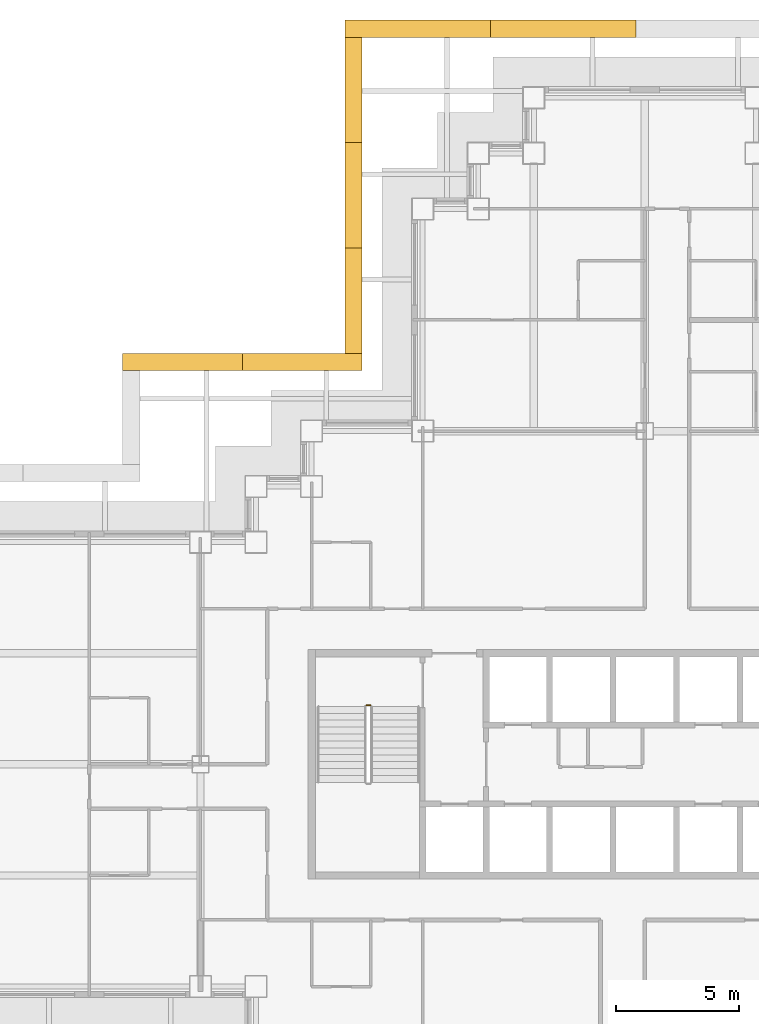
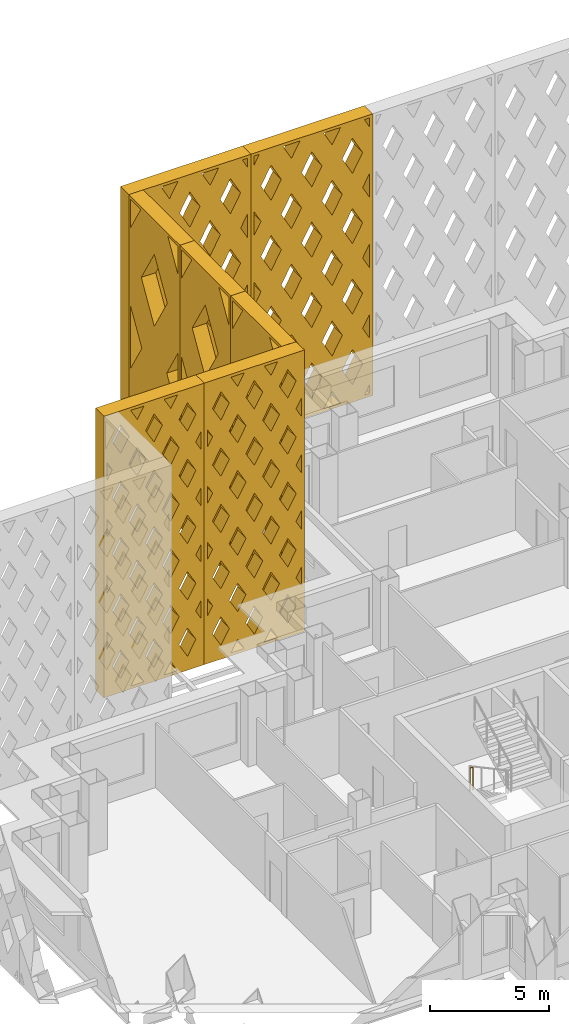
# One storey, part 18 of 21: 7 shading devices, 1 railing.
"""IFC4 building model written with IfcOpenShell, lengths in metres."""

import ifcopenshell
import ifcopenshell.guid

model = None  # the IFC model being written
_history = None  # IfcOwnerHistory: only IFC2X3 demands one
_inside = {}  # id of a spatial element -> (the spatial element, [elements in it])
_under = {}  # id of a project, library or spatial element -> (it, [spatial elements below it])
_declared = {}  # id of a project -> (the project, [libraries it declares])
_typed = {}  # id of a type object -> (the type object, [elements of that type])
_made_of = {}  # id of a material, layer set ... -> (it, [elements and type objects made of it])


def new_model(schema):
    """Start an empty IFC model of exactly this schema.

    Asked for "IFC4X3", IfcOpenShell would pick the latest addendum, in which some entities
    have other attributes; the version numbers below select the first issue.
    IFC2X3 requires an IfcOwnerHistory on every rooted entity: one is made here for all.
    """
    global model, _history
    if schema == "IFC4X3":
        model = ifcopenshell.file(schema_version=(4, 3, 0, 0))
    else:
        model = ifcopenshell.file(schema=schema)
    _inside.clear()
    _under.clear()
    _declared.clear()
    _typed.clear()
    _made_of.clear()
    _history = None
    if model.schema == "IFC2X3":
        org = make("IfcOrganization", Name="unknown")
        user = make(
            "IfcPersonAndOrganization",
            ThePerson=make("IfcPerson", FamilyName="unknown"),
            TheOrganization=org,
        )
        app = make(
            "IfcApplication",
            ApplicationDeveloper=org,
            Version="unknown",
            ApplicationFullName="unknown",
            ApplicationIdentifier="unknown",
        )
        _history = make(
            "IfcOwnerHistory",
            OwningUser=user,
            OwningApplication=app,
            ChangeAction="ADDED",
            CreationDate=0,
        )
    return model


def make(cls, **values):
    """One entity of the class cls with the attributes given. An attribute that is None is left unset."""
    return model.create_entity(
        cls, **{name: value for name, value in values.items() if value is not None}
    )


def rooted(cls, **values):
    """An entity with a GlobalId (a new one), such as an element, a storey or a relation."""
    return make(cls, GlobalId=ifcopenshell.guid.new(), OwnerHistory=_history, **values)


def si_unit(unit_type, name, prefix=None):
    """IfcSIUnit, for example si_unit("LENGTHUNIT", "METRE", prefix="MILLI")."""
    return make("IfcSIUnit", UnitType=unit_type, Prefix=prefix, Name=name)


def assignment(units):
    """IfcUnitAssignment: the units of a project."""
    return None if units is None else make("IfcUnitAssignment", Units=units)


def point(xyz):
    """IfcCartesianPoint."""
    return None if xyz is None else make("IfcCartesianPoint", Coordinates=xyz)


def direction(xyz):
    """IfcDirection."""
    return None if xyz is None else make("IfcDirection", DirectionRatios=xyz)


def frame(location, z_axis=None, x_axis=None):
    """IfcAxis2Placement3D, a coordinate frame: its origin and axes. An axis left out is left unset."""
    return make(
        "IfcAxis2Placement3D",
        Location=point(location),
        Axis=direction(z_axis),
        RefDirection=direction(x_axis),
    )


def frame_2d(location, x_axis=None):
    """IfcAxis2Placement2D, a coordinate frame in the plane: its origin and x axis."""
    return make(
        "IfcAxis2Placement2D", Location=point(location), RefDirection=direction(x_axis)
    )


def origin():
    """The frame at (0, 0, 0) with its axes left unset."""
    return frame((0.0, 0.0, 0.0))


def origin_2d():
    """The frame at (0, 0) in the plane with its x axis left unset."""
    return frame_2d((0.0, 0.0))


def place(relative_to, where):
    """IfcLocalPlacement: puts the frame where relative to a parent placement (None: the world)."""
    return make(
        "IfcLocalPlacement", PlacementRelTo=relative_to, RelativePlacement=where
    )


def context(
    kind, dimensions, precision=None, world=None, true_north=None, identifier=None
):
    """IfcGeometricRepresentationContext, for example the 3D "Model" context."""
    return make(
        "IfcGeometricRepresentationContext",
        ContextIdentifier=identifier,
        ContextType=kind,
        CoordinateSpaceDimension=dimensions,
        Precision=precision,
        WorldCoordinateSystem=world,
        TrueNorth=true_north,
    )


def subcontext(parent, identifier, kind, view, scale=None):
    """IfcGeometricRepresentationSubContext, for example "Body" below "Model"."""
    return make(
        "IfcGeometricRepresentationSubContext",
        ContextIdentifier=identifier,
        ContextType=kind,
        ParentContext=parent,
        TargetScale=scale,
        TargetView=view,
    )


def project(units=None, contexts=None):
    """IfcProject with its units and contexts."""
    return rooted(
        "IfcProject",
        Name="project",
        RepresentationContexts=contexts,
        UnitsInContext=assignment(units),
    )


def spatial(cls, under=None, at=None, **own):
    """A site, building, storey or space (cls), placed at a placement, below another one or the project."""
    s = rooted(cls, ObjectPlacement=at, **own)
    if under is not None:
        _under.setdefault(under.id(), (under, []))[1].append(s)
    return s


def polyline(points):
    """IfcPolyline through the points."""
    return make("IfcPolyline", Points=[point(p) for p in points])


def profile(cls, at=None, kind="AREA", **sizes):
    """A parametric profile (cls). Its sizes go by their IFC names, for example OverallWidth=200.0."""
    return make(cls, ProfileType=kind, Position=at, **sizes)


def circle(**sizes):
    """IfcCircleProfileDef."""
    return profile("IfcCircleProfileDef", **sizes)


def outline(outer, holes=None, kind="AREA"):
    """IfcArbitraryClosedProfileDef: a profile drawn as a closed curve; with holes, ...WithVoids."""
    if holes is None:
        return make("IfcArbitraryClosedProfileDef", ProfileType=kind, OuterCurve=outer)
    return make(
        "IfcArbitraryProfileDefWithVoids",
        ProfileType=kind,
        OuterCurve=outer,
        InnerCurves=holes,
    )


def extrude(swept, where, along, depth):
    """IfcExtrudedAreaSolid: the profile swept, set in the frame where, extruded along a direction by depth."""
    return make(
        "IfcExtrudedAreaSolid",
        SweptArea=swept,
        Position=where,
        ExtrudedDirection=direction(along),
        Depth=depth,
    )


def shape(context_of_items, identifier, shape_type, items):
    """IfcShapeRepresentation: the items that make up one representation, for example the "Body"."""
    return make(
        "IfcShapeRepresentation",
        ContextOfItems=context_of_items,
        RepresentationIdentifier=identifier,
        RepresentationType=shape_type,
        Items=items,
    )


def material(Name=None, Category=None):
    """IfcMaterial."""
    return make("IfcMaterial", Name=Name, Category=Category)


def made_of(thing, what):
    """Note that an element or type object is made of a material, layer set ...; save() writes the relation."""
    if what is not None:
        _made_of.setdefault(what.id(), (what, []))[1].append(thing)
    return thing


def type_object(cls, material=None, **own):
    """A type object (cls), such as IfcWallType, which elements share."""
    return made_of(rooted(cls, **own), material)


def element(
    cls,
    number,
    at=None,
    inside=None,
    cuts=None,
    type_object=None,
    material=None,
    context=None,
    identifier="Body",
    shape_type=None,
    held_by="IfcProductDefinitionShape",
    body=None,
    shapes=None,
    **own,
):
    """One element of the class cls, such as IfcWall. Its Tag is "e" and its number.

    at: its placement. inside: the storey or other place that contains it. cuts: it is an
    opening in that element (IfcRelVoidsElement). A single representation is given by context,
    identifier, shape_type and body (its items); several are given by shapes. held_by: the class
    of the entity that holds the representations. save() writes the other relations.
    """
    e = rooted(cls, Tag="e%d" % number, ObjectPlacement=at, **own)
    if body is not None:
        shapes = [shape(context, identifier, shape_type, body)]
    if shapes is not None:
        e.Representation = make(held_by, Representations=shapes)
    if inside is not None:
        _inside.setdefault(inside.id(), (inside, []))[1].append(e)
    if cuts is not None:
        rooted(
            "IfcRelVoidsElement", RelatingBuildingElement=cuts, RelatedOpeningElement=e
        )
    if type_object is not None:
        _typed.setdefault(type_object.id(), (type_object, []))[1].append(e)
    return made_of(e, material)


def aggregate(whole, parts):
    """IfcRelAggregates: a whole, such as a stair, and the parts it consists of."""
    return rooted("IfcRelAggregates", RelatingObject=whole, RelatedObjects=parts)


def save(model, path):
    """Write the relations noted so far, then the file.

    IfcRelAggregates (storeys below a building ...), IfcRelContainedInSpatialStructure (elements
    in a storey), IfcRelDefinesByType, IfcRelAssociatesMaterial and IfcRelDeclares: one each for
    every whole, place, type object, material and project.
    """
    for whole, parts in _under.values():
        aggregate(whole, parts)
    for where, things in _inside.values():
        rooted(
            "IfcRelContainedInSpatialStructure",
            RelatedElements=things,
            RelatingStructure=where,
        )
    for kind, things in _typed.values():
        rooted("IfcRelDefinesByType", RelatedObjects=things, RelatingType=kind)
    for what, things in _made_of.values():
        rooted("IfcRelAssociatesMaterial", RelatedObjects=things, RelatingMaterial=what)
    for by, libraries in _declared.values():
        rooted("IfcRelDeclares", RelatingContext=by, RelatedDefinitions=libraries)
    model.write(path)


model = new_model("IFC4")

# Units and contexts
model_context = context("Model", 3, precision=1e-05, world=origin(), true_north=direction((0.0, 1.0)))
body_context = subcontext(model_context, "Body", "Model", "MODEL_VIEW")
ifc_project = project(units=[si_unit("LENGTHUNIT", "METRE"), si_unit("AREAUNIT", "SQUARE_METRE"), si_unit("VOLUMEUNIT", "CUBIC_METRE"), si_unit("PLANEANGLEUNIT", "RADIAN"), si_unit("MASSUNIT", "GRAM", prefix="KILO")], contexts=[model_context])

# Site, building, storey
site_placement = place(None, origin())
site = spatial("IfcSite", under=ifc_project, at=site_placement, CompositionType="ELEMENT")
building_placement = place(site_placement, origin())
building = spatial("IfcBuilding", under=site, at=building_placement, Name="Caravel Reach Hotel and Residences", CompositionType="ELEMENT")
storey_placement = place(building_placement, frame((0.0, 0.0, 115.199951171875)))
storey = spatial("IfcBuildingStorey", under=building, at=storey_placement, Name="L28", CompositionType="ELEMENT", Elevation=115.199951171875)

# Shading devices
ifc_material_1 = material(Name="Black powder-coated aluminium", Category="aluminium")
shading_device_type_1 = type_object("IfcShadingDeviceType", Name="Diamond lattice screen panel 4267 x 14400", PredefinedType="USERDEFINED", material=ifc_material_1)
for number, where, z_axis, x_axis, name in (
    (1, (20.050048828125, 56.449951171875, 0.0), (-1.0, 0.0, 0.0), (0.0, -1.0, 0.0), "Lattice screen L28-L31 13.1"),
    (2, (20.050048828125, 52.183349609375, 0.0), (-1.0, 0.0, 0.0), (0.0, -1.0, 0.0), "Lattice screen L28-L31 13.2"),
    (3, (20.050048828125, 47.916748046875, 0.0), (-1.0, 0.0, 0.0), (0.0, -1.0, 0.0), "Lattice screen L28-L31 13.3"),
):
    element("IfcShadingDevice", number, at=place(storey_placement, frame(where, z_axis=z_axis, x_axis=x_axis)), inside=storey, type_object=shading_device_type_1, Name=name, ObjectType="SCREEN", PredefinedType="USERDEFINED", context=body_context, shape_type="SweptSolid", body=[
        extrude(outline(polyline([(0.0, 0.0), (4.2666015625, 0.0), (4.2666015625, 14.39990234375), (0.0, 14.39990234375), (0.0, 0.0)]), holes=[polyline([(1.003662109375, 0.14990234375), (0.14990234375, 1.590576171875), (0.14990234375, 0.14990234375), (1.003662109375, 0.14990234375)]), polyline([(1.092529296875, 7.199951171875), (0.14990234375, 8.790771484375), (0.14990234375, 5.609375), (1.092529296875, 7.199951171875)]), polyline([(0.14990234375, 12.809326171875), (1.003662109375, 14.25), (0.14990234375, 14.25), (0.14990234375, 12.809326171875)]), polyline([(2.13330078125, 5.44384765625), (1.040771484375, 3.60009765625), (2.13330078125, 1.756103515625), (3.225830078125, 3.60009765625), (2.13330078125, 5.44384765625)]), polyline([(2.13330078125, 12.643798828125), (1.040771484375, 10.800048828125), (2.13330078125, 8.956298828125), (3.225830078125, 10.800048828125), (2.13330078125, 12.643798828125)]), polyline([(4.11669921875, 1.590576171875), (3.262939453125, 0.14990234375), (4.11669921875, 0.14990234375), (4.11669921875, 1.590576171875)]), polyline([(3.174072265625, 7.199951171875), (4.11669921875, 5.609375), (4.11669921875, 8.790771484375), (3.174072265625, 7.199951171875)]), polyline([(3.262939453125, 14.25), (4.11669921875, 12.809326171875), (4.11669921875, 14.25), (3.262939453125, 14.25)])]), origin(), (0.0, 0.0, 1.0), 0.699951171875),
    ])
ifc_material_2 = material(Name="Black powder-coated aluminium", Category="aluminium")
shading_device_type_2 = type_object("IfcShadingDeviceType", Name="Diamond lattice screen panel 4850 x 14400", PredefinedType="USERDEFINED", material=ifc_material_2)
shading_device_1_placement = place(storey_placement, frame((20.050048828125, 42.949951171875, 0.0), z_axis=(0.0, 1.0, 0.0), x_axis=(-1.0, 0.0, 0.0)))
element("IfcShadingDevice", 4, at=shading_device_1_placement, inside=storey, type_object=shading_device_type_2, Name="Lattice screen L28-L31 14.1", ObjectType="SCREEN", PredefinedType="USERDEFINED", context=body_context, shape_type="SweptSolid", body=[
    extrude(outline(polyline([(0.0, 0.0), (4.85009765625, 0.0), (4.85009765625, 14.39990234375), (0.0, 14.39990234375), (0.0, 0.0)]), holes=[polyline([(0.408447265625, 2.8798828125), (0.14990234375, 3.34033203125), (0.14990234375, 2.419677734375), (0.408447265625, 2.8798828125)]), polyline([(0.408447265625, 5.760009765625), (0.14990234375, 6.22021484375), (0.14990234375, 5.2998046875), (0.408447265625, 5.760009765625)]), polyline([(0.408447265625, 8.639892578125), (0.14990234375, 9.100341796875), (0.14990234375, 8.1796875), (0.408447265625, 8.639892578125)]), polyline([(0.408447265625, 11.52001953125), (0.14990234375, 11.980224609375), (0.14990234375, 11.059814453125), (0.408447265625, 11.52001953125)]), polyline([(0.808349609375, 2.16748046875), (0.39990234375, 1.43994140625), (0.808349609375, 0.712646484375), (1.216796875, 1.43994140625), (0.808349609375, 2.16748046875)]), polyline([(0.808349609375, 5.04736328125), (0.39990234375, 4.320068359375), (0.808349609375, 3.592529296875), (1.216796875, 4.320068359375), (0.808349609375, 5.04736328125)]), polyline([(0.808349609375, 7.927490234375), (0.39990234375, 7.199951171875), (0.808349609375, 6.47265625), (1.216796875, 7.199951171875), (0.808349609375, 7.927490234375)]), polyline([(0.808349609375, 10.807373046875), (0.39990234375, 10.080078125), (0.808349609375, 9.3525390625), (1.216796875, 10.080078125), (0.808349609375, 10.807373046875)]), polyline([(0.808349609375, 13.6875), (0.39990234375, 12.9599609375), (0.808349609375, 12.232421875), (1.216796875, 12.9599609375), (0.808349609375, 13.6875)]), polyline([(1.61669921875, 0.7275390625), (1.29248046875, 0.14990234375), (1.94091796875, 0.14990234375), (1.61669921875, 0.7275390625)]), polyline([(1.61669921875, 3.607421875), (1.208251953125, 2.8798828125), (1.61669921875, 2.152587890625), (2.02490234375, 2.8798828125), (1.61669921875, 3.607421875)]), polyline([(1.61669921875, 6.487548828125), (1.208251953125, 5.760009765625), (1.61669921875, 5.032470703125), (2.02490234375, 5.760009765625), (1.61669921875, 6.487548828125)]), polyline([(1.61669921875, 9.367431640625), (1.208251953125, 8.639892578125), (1.61669921875, 7.91259765625), (2.02490234375, 8.639892578125), (1.61669921875, 9.367431640625)]), polyline([(1.61669921875, 12.24755859375), (1.208251953125, 11.52001953125), (1.61669921875, 10.79248046875), (2.02490234375, 11.52001953125), (1.61669921875, 12.24755859375)]), polyline([(1.61669921875, 13.672607421875), (1.94091796875, 14.25), (1.29248046875, 14.25), (1.61669921875, 13.672607421875)]), polyline([(2.425048828125, 2.16748046875), (2.0166015625, 1.43994140625), (2.425048828125, 0.712646484375), (2.833251953125, 1.43994140625), (2.425048828125, 2.16748046875)]), polyline([(2.425048828125, 5.04736328125), (2.0166015625, 4.320068359375), (2.425048828125, 3.592529296875), (2.833251953125, 4.320068359375), (2.425048828125, 5.04736328125)]), polyline([(2.425048828125, 7.927490234375), (2.0166015625, 7.199951171875), (2.425048828125, 6.47265625), (2.833251953125, 7.199951171875), (2.425048828125, 7.927490234375)]), polyline([(2.425048828125, 10.807373046875), (2.0166015625, 10.080078125), (2.425048828125, 9.3525390625), (2.833251953125, 10.080078125), (2.425048828125, 10.807373046875)]), polyline([(2.425048828125, 13.6875), (2.0166015625, 12.9599609375), (2.425048828125, 12.232421875), (2.833251953125, 12.9599609375), (2.425048828125, 13.6875)]), polyline([(3.2333984375, 0.7275390625), (2.9091796875, 0.14990234375), (3.557373046875, 0.14990234375), (3.2333984375, 0.7275390625)]), polyline([(3.2333984375, 3.607421875), (2.824951171875, 2.8798828125), (3.2333984375, 2.152587890625), (3.6416015625, 2.8798828125), (3.2333984375, 3.607421875)]), polyline([(3.2333984375, 6.487548828125), (2.824951171875, 5.760009765625), (3.2333984375, 5.032470703125), (3.6416015625, 5.760009765625), (3.2333984375, 6.487548828125)]), polyline([(3.2333984375, 9.367431640625), (2.824951171875, 8.639892578125), (3.2333984375, 7.91259765625), (3.6416015625, 8.639892578125), (3.2333984375, 9.367431640625)]), polyline([(3.2333984375, 12.24755859375), (2.824951171875, 11.52001953125), (3.2333984375, 10.79248046875), (3.6416015625, 11.52001953125), (3.2333984375, 12.24755859375)]), polyline([(3.2333984375, 13.672607421875), (3.557373046875, 14.25), (2.9091796875, 14.25), (3.2333984375, 13.672607421875)]), polyline([(4.041748046875, 2.16748046875), (3.63330078125, 1.43994140625), (4.041748046875, 0.712646484375), (4.449951171875, 1.43994140625), (4.041748046875, 2.16748046875)]), polyline([(4.041748046875, 5.04736328125), (3.63330078125, 4.320068359375), (4.041748046875, 3.592529296875), (4.449951171875, 4.320068359375), (4.041748046875, 5.04736328125)]), polyline([(4.041748046875, 7.927490234375), (3.63330078125, 7.199951171875), (4.041748046875, 6.47265625), (4.449951171875, 7.199951171875), (4.041748046875, 7.927490234375)]), polyline([(4.041748046875, 10.807373046875), (3.63330078125, 10.080078125), (4.041748046875, 9.3525390625), (4.449951171875, 10.080078125), (4.041748046875, 10.807373046875)]), polyline([(4.041748046875, 13.6875), (3.63330078125, 12.9599609375), (4.041748046875, 12.232421875), (4.449951171875, 12.9599609375), (4.041748046875, 13.6875)]), polyline([(4.441650390625, 2.8798828125), (4.699951171875, 2.419677734375), (4.699951171875, 3.34033203125), (4.441650390625, 2.8798828125)]), polyline([(4.441650390625, 5.760009765625), (4.699951171875, 5.2998046875), (4.699951171875, 6.22021484375), (4.441650390625, 5.760009765625)]), polyline([(4.441650390625, 8.639892578125), (4.699951171875, 8.1796875), (4.699951171875, 9.100341796875), (4.441650390625, 8.639892578125)]), polyline([(4.441650390625, 11.52001953125), (4.699951171875, 11.059814453125), (4.699951171875, 11.980224609375), (4.441650390625, 11.52001953125)])]), origin(), (0.0, 0.0, 1.0), 0.699951171875),
])
shading_device_2_placement = place(storey_placement, frame((15.199951171875, 42.949951171875, 0.0), z_axis=(0.0, 1.0, 0.0), x_axis=(-1.0, 0.0, 0.0)))
element("IfcShadingDevice", 5, at=shading_device_2_placement, inside=storey, type_object=shading_device_type_2, Name="Lattice screen L28-L31 14.2", ObjectType="SCREEN", PredefinedType="USERDEFINED", context=body_context, shape_type="SweptSolid", body=[
    extrude(outline(polyline([(0.0, 0.0), (4.85009765625, 0.0), (4.85009765625, 14.39990234375), (0.0, 14.39990234375), (0.0, 0.0)]), holes=[polyline([(0.408447265625, 2.8798828125), (0.14990234375, 3.34033203125), (0.14990234375, 2.419677734375), (0.408447265625, 2.8798828125)]), polyline([(0.408447265625, 5.760009765625), (0.14990234375, 6.22021484375), (0.14990234375, 5.2998046875), (0.408447265625, 5.760009765625)]), polyline([(0.408447265625, 8.639892578125), (0.14990234375, 9.100341796875), (0.14990234375, 8.1796875), (0.408447265625, 8.639892578125)]), polyline([(0.408447265625, 11.52001953125), (0.14990234375, 11.980224609375), (0.14990234375, 11.059814453125), (0.408447265625, 11.52001953125)]), polyline([(0.808349609375, 2.16748046875), (0.39990234375, 1.43994140625), (0.808349609375, 0.712646484375), (1.216796875, 1.43994140625), (0.808349609375, 2.16748046875)]), polyline([(0.808349609375, 5.04736328125), (0.39990234375, 4.320068359375), (0.808349609375, 3.592529296875), (1.216796875, 4.320068359375), (0.808349609375, 5.04736328125)]), polyline([(0.808349609375, 7.927490234375), (0.39990234375, 7.199951171875), (0.808349609375, 6.47265625), (1.216796875, 7.199951171875), (0.808349609375, 7.927490234375)]), polyline([(0.808349609375, 10.807373046875), (0.39990234375, 10.080078125), (0.808349609375, 9.3525390625), (1.216796875, 10.080078125), (0.808349609375, 10.807373046875)]), polyline([(0.808349609375, 13.6875), (0.39990234375, 12.9599609375), (0.808349609375, 12.232421875), (1.216796875, 12.9599609375), (0.808349609375, 13.6875)]), polyline([(1.61669921875, 0.7275390625), (1.29248046875, 0.14990234375), (1.94091796875, 0.14990234375), (1.61669921875, 0.7275390625)]), polyline([(1.61669921875, 3.607421875), (1.208251953125, 2.8798828125), (1.61669921875, 2.152587890625), (2.02490234375, 2.8798828125), (1.61669921875, 3.607421875)]), polyline([(1.61669921875, 6.487548828125), (1.208251953125, 5.760009765625), (1.61669921875, 5.032470703125), (2.02490234375, 5.760009765625), (1.61669921875, 6.487548828125)]), polyline([(1.61669921875, 9.367431640625), (1.208251953125, 8.639892578125), (1.61669921875, 7.91259765625), (2.02490234375, 8.639892578125), (1.61669921875, 9.367431640625)]), polyline([(1.61669921875, 12.24755859375), (1.208251953125, 11.52001953125), (1.61669921875, 10.79248046875), (2.02490234375, 11.52001953125), (1.61669921875, 12.24755859375)]), polyline([(1.61669921875, 13.672607421875), (1.94091796875, 14.25), (1.29248046875, 14.25), (1.61669921875, 13.672607421875)]), polyline([(2.425048828125, 2.16748046875), (2.0166015625, 1.43994140625), (2.425048828125, 0.712646484375), (2.833251953125, 1.43994140625), (2.425048828125, 2.16748046875)]), polyline([(2.425048828125, 5.04736328125), (2.0166015625, 4.320068359375), (2.425048828125, 3.592529296875), (2.833251953125, 4.320068359375), (2.425048828125, 5.04736328125)]), polyline([(2.425048828125, 7.927490234375), (2.0166015625, 7.199951171875), (2.425048828125, 6.47265625), (2.833251953125, 7.199951171875), (2.425048828125, 7.927490234375)]), polyline([(2.425048828125, 10.807373046875), (2.0166015625, 10.080078125), (2.425048828125, 9.3525390625), (2.833251953125, 10.080078125), (2.425048828125, 10.807373046875)]), polyline([(2.425048828125, 13.6875), (2.0166015625, 12.9599609375), (2.425048828125, 12.232421875), (2.833251953125, 12.9599609375), (2.425048828125, 13.6875)]), polyline([(3.2333984375, 0.7275390625), (2.9091796875, 0.14990234375), (3.557373046875, 0.14990234375), (3.2333984375, 0.7275390625)]), polyline([(3.2333984375, 3.607421875), (2.824951171875, 2.8798828125), (3.2333984375, 2.152587890625), (3.6416015625, 2.8798828125), (3.2333984375, 3.607421875)]), polyline([(3.2333984375, 6.487548828125), (2.824951171875, 5.760009765625), (3.2333984375, 5.032470703125), (3.6416015625, 5.760009765625), (3.2333984375, 6.487548828125)]), polyline([(3.2333984375, 9.367431640625), (2.824951171875, 8.639892578125), (3.2333984375, 7.91259765625), (3.6416015625, 8.639892578125), (3.2333984375, 9.367431640625)]), polyline([(3.2333984375, 12.24755859375), (2.824951171875, 11.52001953125), (3.2333984375, 10.79248046875), (3.6416015625, 11.52001953125), (3.2333984375, 12.24755859375)]), polyline([(3.2333984375, 13.672607421875), (3.557373046875, 14.25), (2.9091796875, 14.25), (3.2333984375, 13.672607421875)]), polyline([(4.041748046875, 2.16748046875), (3.63330078125, 1.43994140625), (4.041748046875, 0.712646484375), (4.449951171875, 1.43994140625), (4.041748046875, 2.16748046875)]), polyline([(4.041748046875, 5.04736328125), (3.63330078125, 4.320068359375), (4.041748046875, 3.592529296875), (4.449951171875, 4.320068359375), (4.041748046875, 5.04736328125)]), polyline([(4.041748046875, 7.927490234375), (3.63330078125, 7.199951171875), (4.041748046875, 6.47265625), (4.449951171875, 7.199951171875), (4.041748046875, 7.927490234375)]), polyline([(4.041748046875, 10.807373046875), (3.63330078125, 10.080078125), (4.041748046875, 9.3525390625), (4.449951171875, 10.080078125), (4.041748046875, 10.807373046875)]), polyline([(4.041748046875, 13.6875), (3.63330078125, 12.9599609375), (4.041748046875, 12.232421875), (4.449951171875, 12.9599609375), (4.041748046875, 13.6875)]), polyline([(4.441650390625, 2.8798828125), (4.699951171875, 2.419677734375), (4.699951171875, 3.34033203125), (4.441650390625, 2.8798828125)]), polyline([(4.441650390625, 5.760009765625), (4.699951171875, 5.2998046875), (4.699951171875, 6.22021484375), (4.441650390625, 5.760009765625)]), polyline([(4.441650390625, 8.639892578125), (4.699951171875, 8.1796875), (4.699951171875, 9.100341796875), (4.441650390625, 8.639892578125)]), polyline([(4.441650390625, 11.52001953125), (4.699951171875, 11.059814453125), (4.699951171875, 11.980224609375), (4.441650390625, 11.52001953125)])]), origin(), (0.0, 0.0, 1.0), 0.699951171875),
])
ifc_material_3 = material(Name="Black powder-coated aluminium", Category="aluminium")
shading_device_type_3 = type_object("IfcShadingDeviceType", Name="Diamond lattice screen panel 5900 x 14400", PredefinedType="USERDEFINED", material=ifc_material_3)
shading_device_3_placement = place(storey_placement, frame((31.14990234375, 56.449951171875, 0.0), z_axis=(0.0, 1.0, 0.0), x_axis=(-1.0, 0.0, 0.0)))
element("IfcShadingDevice", 6, at=shading_device_3_placement, inside=storey, type_object=shading_device_type_3, Name="Lattice screen L28-L31 12.3", ObjectType="SCREEN", PredefinedType="USERDEFINED", context=body_context, shape_type="SweptSolid", body=[
    extrude(outline(polyline([(0.0, 0.0), (5.89990234375, 0.0), (5.89990234375, 14.39990234375), (0.0, 14.39990234375), (0.0, 0.0)]), holes=[polyline([(0.40966796875, 0.14990234375), (0.14990234375, 0.62548828125), (0.14990234375, 0.14990234375), (0.40966796875, 0.14990234375)]), polyline([(0.49169921875, 3.60009765625), (0.14990234375, 4.2255859375), (0.14990234375, 2.974609375), (0.49169921875, 3.60009765625)]), polyline([(0.49169921875, 7.199951171875), (0.14990234375, 7.825439453125), (0.14990234375, 6.574462890625), (0.49169921875, 7.199951171875)]), polyline([(0.49169921875, 10.800048828125), (0.14990234375, 11.425537109375), (0.14990234375, 10.174560546875), (0.49169921875, 10.800048828125)]), polyline([(0.14990234375, 13.7744140625), (0.40966796875, 14.25), (0.14990234375, 14.25), (0.14990234375, 13.7744140625)]), polyline([(0.9833984375, 2.699951171875), (0.49169921875, 1.800048828125), (0.9833984375, 0.89990234375), (1.47509765625, 1.800048828125), (0.9833984375, 2.699951171875)]), polyline([(0.9833984375, 6.300048828125), (0.49169921875, 5.39990234375), (0.9833984375, 4.5), (1.47509765625, 5.39990234375), (0.9833984375, 6.300048828125)]), polyline([(0.9833984375, 9.900146484375), (0.49169921875, 9.0), (0.9833984375, 8.099853515625), (1.47509765625, 9.0), (0.9833984375, 9.900146484375)]), polyline([(0.9833984375, 13.5), (0.49169921875, 12.60009765625), (0.9833984375, 11.699951171875), (1.47509765625, 12.60009765625), (0.9833984375, 13.5)]), polyline([(1.966552734375, 0.900146484375), (1.556884765625, 0.14990234375), (2.37646484375, 0.14990234375), (1.966552734375, 0.900146484375)]), polyline([(1.966552734375, 4.5), (1.474853515625, 3.60009765625), (1.966552734375, 2.699951171875), (2.458251953125, 3.60009765625), (1.966552734375, 4.5)]), polyline([(1.966552734375, 8.10009765625), (1.474853515625, 7.199951171875), (1.966552734375, 6.300048828125), (2.458251953125, 7.199951171875), (1.966552734375, 8.10009765625)]), polyline([(1.966552734375, 11.699951171875), (1.474853515625, 10.800048828125), (1.966552734375, 9.89990234375), (2.458251953125, 10.800048828125), (1.966552734375, 11.699951171875)]), polyline([(1.966552734375, 13.5), (2.37646484375, 14.25), (1.556884765625, 14.25), (1.966552734375, 13.5)]), polyline([(2.949951171875, 2.699951171875), (2.458251953125, 1.800048828125), (2.949951171875, 0.89990234375), (3.441650390625, 1.800048828125), (2.949951171875, 2.699951171875)]), polyline([(2.949951171875, 6.300048828125), (2.458251953125, 5.39990234375), (2.949951171875, 4.5), (3.441650390625, 5.39990234375), (2.949951171875, 6.300048828125)]), polyline([(2.949951171875, 9.900146484375), (2.458251953125, 9.0), (2.949951171875, 8.099853515625), (3.441650390625, 9.0), (2.949951171875, 9.900146484375)]), polyline([(2.949951171875, 13.5), (2.458251953125, 12.60009765625), (2.949951171875, 11.699951171875), (3.441650390625, 12.60009765625), (2.949951171875, 13.5)]), polyline([(3.933349609375, 0.900146484375), (3.523681640625, 0.14990234375), (4.343017578125, 0.14990234375), (3.933349609375, 0.900146484375)]), polyline([(3.933349609375, 4.5), (3.441650390625, 3.60009765625), (3.933349609375, 2.699951171875), (4.425048828125, 3.60009765625), (3.933349609375, 4.5)]), polyline([(3.933349609375, 8.10009765625), (3.441650390625, 7.199951171875), (3.933349609375, 6.300048828125), (4.425048828125, 7.199951171875), (3.933349609375, 8.10009765625)]), polyline([(3.933349609375, 11.699951171875), (3.441650390625, 10.800048828125), (3.933349609375, 9.89990234375), (4.425048828125, 10.800048828125), (3.933349609375, 11.699951171875)]), polyline([(3.933349609375, 13.5), (4.343017578125, 14.25), (3.523681640625, 14.25), (3.933349609375, 13.5)]), polyline([(4.916748046875, 2.699951171875), (4.425048828125, 1.800048828125), (4.916748046875, 0.89990234375), (5.408447265625, 1.800048828125), (4.916748046875, 2.699951171875)]), polyline([(4.916748046875, 6.300048828125), (4.425048828125, 5.39990234375), (4.916748046875, 4.5), (5.408447265625, 5.39990234375), (4.916748046875, 6.300048828125)]), polyline([(4.916748046875, 9.900146484375), (4.425048828125, 9.0), (4.916748046875, 8.099853515625), (5.408447265625, 9.0), (4.916748046875, 9.900146484375)]), polyline([(4.916748046875, 13.5), (4.425048828125, 12.60009765625), (4.916748046875, 11.699951171875), (5.408447265625, 12.60009765625), (4.916748046875, 13.5)]), polyline([(5.75, 0.62548828125), (5.490234375, 0.14990234375), (5.75, 0.14990234375), (5.75, 0.62548828125)]), polyline([(5.408203125, 3.60009765625), (5.75, 2.974609375), (5.75, 4.2255859375), (5.408203125, 3.60009765625)]), polyline([(5.408203125, 7.199951171875), (5.75, 6.574462890625), (5.75, 7.825439453125), (5.408203125, 7.199951171875)]), polyline([(5.408203125, 10.800048828125), (5.75, 10.174560546875), (5.75, 11.425537109375), (5.408203125, 10.800048828125)]), polyline([(5.490234375, 14.25), (5.75, 13.7744140625), (5.75, 14.25), (5.490234375, 14.25)])]), origin(), (0.0, 0.0, 1.0), 0.699951171875),
])
shading_device_4_placement = place(storey_placement, frame((25.25, 56.449951171875, 0.0), z_axis=(0.0, 1.0, 0.0), x_axis=(-1.0, 0.0, 0.0)))
element("IfcShadingDevice", 7, at=shading_device_4_placement, inside=storey, type_object=shading_device_type_3, Name="Lattice screen L28-L31 12.4", ObjectType="SCREEN", PredefinedType="USERDEFINED", context=body_context, shape_type="SweptSolid", body=[
    extrude(outline(polyline([(0.0, 0.0), (5.89990234375, 0.0), (5.89990234375, 14.39990234375), (0.0, 14.39990234375), (0.0, 0.0)]), holes=[polyline([(0.40966796875, 0.14990234375), (0.14990234375, 0.62548828125), (0.14990234375, 0.14990234375), (0.40966796875, 0.14990234375)]), polyline([(0.49169921875, 3.60009765625), (0.14990234375, 4.2255859375), (0.14990234375, 2.974609375), (0.49169921875, 3.60009765625)]), polyline([(0.49169921875, 7.199951171875), (0.14990234375, 7.825439453125), (0.14990234375, 6.574462890625), (0.49169921875, 7.199951171875)]), polyline([(0.49169921875, 10.800048828125), (0.14990234375, 11.425537109375), (0.14990234375, 10.174560546875), (0.49169921875, 10.800048828125)]), polyline([(0.14990234375, 13.7744140625), (0.40966796875, 14.25), (0.14990234375, 14.25), (0.14990234375, 13.7744140625)]), polyline([(0.9833984375, 2.699951171875), (0.49169921875, 1.800048828125), (0.9833984375, 0.89990234375), (1.47509765625, 1.800048828125), (0.9833984375, 2.699951171875)]), polyline([(0.9833984375, 6.300048828125), (0.49169921875, 5.39990234375), (0.9833984375, 4.5), (1.47509765625, 5.39990234375), (0.9833984375, 6.300048828125)]), polyline([(0.9833984375, 9.900146484375), (0.49169921875, 9.0), (0.9833984375, 8.099853515625), (1.47509765625, 9.0), (0.9833984375, 9.900146484375)]), polyline([(0.9833984375, 13.5), (0.49169921875, 12.60009765625), (0.9833984375, 11.699951171875), (1.47509765625, 12.60009765625), (0.9833984375, 13.5)]), polyline([(1.966552734375, 0.900146484375), (1.556884765625, 0.14990234375), (2.37646484375, 0.14990234375), (1.966552734375, 0.900146484375)]), polyline([(1.966552734375, 4.5), (1.474853515625, 3.60009765625), (1.966552734375, 2.699951171875), (2.458251953125, 3.60009765625), (1.966552734375, 4.5)]), polyline([(1.966552734375, 8.10009765625), (1.474853515625, 7.199951171875), (1.966552734375, 6.300048828125), (2.458251953125, 7.199951171875), (1.966552734375, 8.10009765625)]), polyline([(1.966552734375, 11.699951171875), (1.474853515625, 10.800048828125), (1.966552734375, 9.89990234375), (2.458251953125, 10.800048828125), (1.966552734375, 11.699951171875)]), polyline([(1.966552734375, 13.5), (2.37646484375, 14.25), (1.556884765625, 14.25), (1.966552734375, 13.5)]), polyline([(2.949951171875, 2.699951171875), (2.458251953125, 1.800048828125), (2.949951171875, 0.89990234375), (3.441650390625, 1.800048828125), (2.949951171875, 2.699951171875)]), polyline([(2.949951171875, 6.300048828125), (2.458251953125, 5.39990234375), (2.949951171875, 4.5), (3.441650390625, 5.39990234375), (2.949951171875, 6.300048828125)]), polyline([(2.949951171875, 9.900146484375), (2.458251953125, 9.0), (2.949951171875, 8.099853515625), (3.441650390625, 9.0), (2.949951171875, 9.900146484375)]), polyline([(2.949951171875, 13.5), (2.458251953125, 12.60009765625), (2.949951171875, 11.699951171875), (3.441650390625, 12.60009765625), (2.949951171875, 13.5)]), polyline([(3.933349609375, 0.900146484375), (3.523681640625, 0.14990234375), (4.343017578125, 0.14990234375), (3.933349609375, 0.900146484375)]), polyline([(3.933349609375, 4.5), (3.441650390625, 3.60009765625), (3.933349609375, 2.699951171875), (4.425048828125, 3.60009765625), (3.933349609375, 4.5)]), polyline([(3.933349609375, 8.10009765625), (3.441650390625, 7.199951171875), (3.933349609375, 6.300048828125), (4.425048828125, 7.199951171875), (3.933349609375, 8.10009765625)]), polyline([(3.933349609375, 11.699951171875), (3.441650390625, 10.800048828125), (3.933349609375, 9.89990234375), (4.425048828125, 10.800048828125), (3.933349609375, 11.699951171875)]), polyline([(3.933349609375, 13.5), (4.343017578125, 14.25), (3.523681640625, 14.25), (3.933349609375, 13.5)]), polyline([(4.916748046875, 2.699951171875), (4.425048828125, 1.800048828125), (4.916748046875, 0.89990234375), (5.408447265625, 1.800048828125), (4.916748046875, 2.699951171875)]), polyline([(4.916748046875, 6.300048828125), (4.425048828125, 5.39990234375), (4.916748046875, 4.5), (5.408447265625, 5.39990234375), (4.916748046875, 6.300048828125)]), polyline([(4.916748046875, 9.900146484375), (4.425048828125, 9.0), (4.916748046875, 8.099853515625), (5.408447265625, 9.0), (4.916748046875, 9.900146484375)]), polyline([(4.916748046875, 13.5), (4.425048828125, 12.60009765625), (4.916748046875, 11.699951171875), (5.408447265625, 12.60009765625), (4.916748046875, 13.5)]), polyline([(5.75, 0.62548828125), (5.490234375, 0.14990234375), (5.75, 0.14990234375), (5.75, 0.62548828125)]), polyline([(5.408203125, 3.60009765625), (5.75, 2.974609375), (5.75, 4.2255859375), (5.408203125, 3.60009765625)]), polyline([(5.408203125, 7.199951171875), (5.75, 6.574462890625), (5.75, 7.825439453125), (5.408203125, 7.199951171875)]), polyline([(5.408203125, 10.800048828125), (5.75, 10.174560546875), (5.75, 11.425537109375), (5.408203125, 10.800048828125)]), polyline([(5.490234375, 14.25), (5.75, 13.7744140625), (5.75, 14.25), (5.490234375, 14.25)])]), origin(), (0.0, 0.0, 1.0), 0.699951171875),
])

# Railing
ifc_material_4 = material(Name="Steel balustrade with glass infill", Category="steel")
railing_type = type_object("IfcRailingType", Name="Guard 1200", PredefinedType="GUARDRAIL", material=ifc_material_4)
railing_placement = place(storey_placement, frame((20.22509765625, 29.39990234375, 0.0)))
element("IfcRailing", 8, at=railing_placement, inside=storey, type_object=railing_type, Name="L28 ST-A stair guard 4", PredefinedType="GUARDRAIL", context=body_context, shape_type="SweptSolid", body=[
    extrude(circle(Radius=0.02392578125, at=origin_2d()), frame((0.0, 0.0, 1.17578125), z_axis=(1.0, 0.0, 0.0), x_axis=(0.0, 1.0, 0.0)), (0.0, 0.0, 1.0), 0.14990234375),
    extrude(circle(Radius=0.02099609375, at=origin_2d()), origin(), (0.0, 0.0, 1.0), 1.15185546875),
    extrude(circle(Radius=0.02099609375, at=origin_2d()), frame((0.14990234375, 0.0, 0.0)), (0.0, 0.0, 1.0), 1.15185546875),
])

save(model, "model.ifc")
